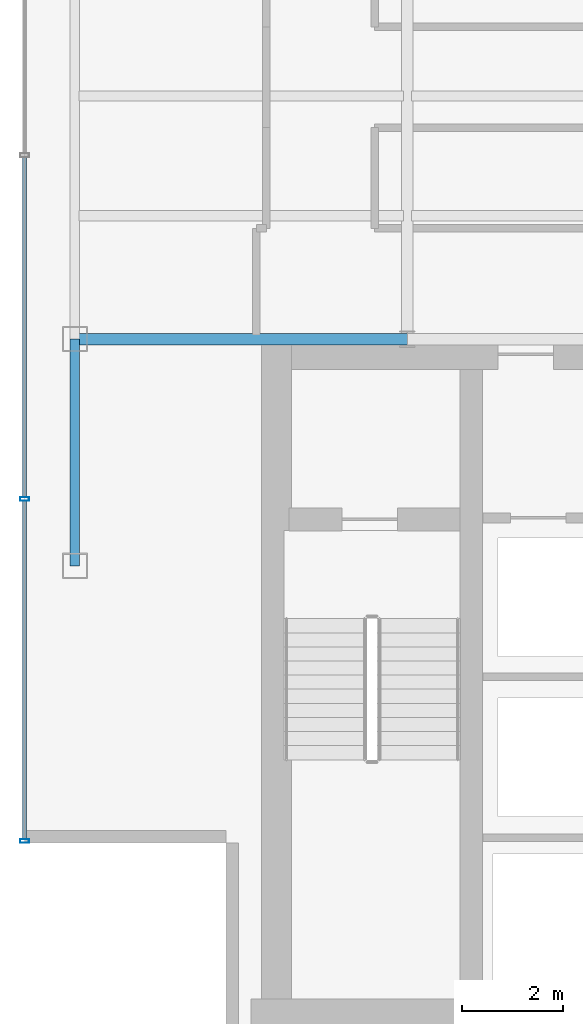
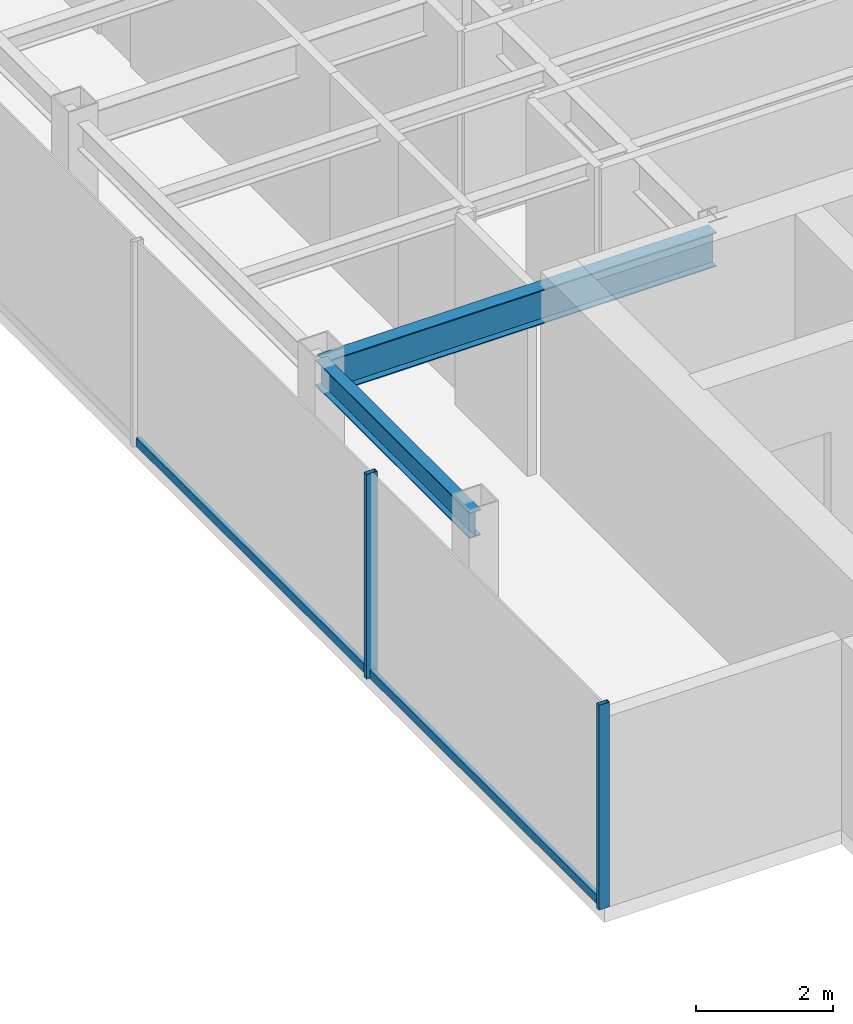
# One storey, part 3 of 22: 4 members, 2 beams, 1 element without a shape of its own.
"""IFC4 building model written with IfcOpenShell, lengths in metres."""

from ifc_helpers import new_model, si_unit, derived_unit, direction, frame, origin, origin_2d, place, context, subcontext, project, spatial, hollow_rectangle, i_section, extrude, source, transform, mapped, material, material_profile, profile_set, type_object, element, aggregate, save


model = new_model("IFC4")

# Units and contexts
model_context = context("Model", 3, precision=1e-05, world=origin(), true_north=direction((0.0, 1.0)))
body_context = subcontext(model_context, "Body", "Model", "MODEL_VIEW")
ifc_project = project(units=[si_unit("LENGTHUNIT", "METRE"), si_unit("AREAUNIT", "SQUARE_METRE"), si_unit("VOLUMEUNIT", "CUBIC_METRE"), si_unit("PLANEANGLEUNIT", "RADIAN"), si_unit("MASSUNIT", "GRAM", prefix="KILO"), derived_unit("THERMALTRANSMITTANCEUNIT", [(si_unit("POWERUNIT", "WATT"), 1), (si_unit("LENGTHUNIT", "METRE"), -2), (si_unit("THERMODYNAMICTEMPERATUREUNIT", "KELVIN"), -1)])], contexts=[model_context])

# Site, building, storey
site_placement = place(None, origin())
site = spatial("IfcSite", under=ifc_project, at=site_placement, CompositionType="ELEMENT")
building_placement = place(site_placement, origin())
building = spatial("IfcBuilding", under=site, at=building_placement, Name="Skarnbrae Concourse Arena and Tower", CompositionType="ELEMENT")
storey_placement = place(building_placement, frame((0.0, 0.0, 262.449951171875)))
storey = spatial("IfcBuildingStorey", under=building, at=storey_placement, Name="L68", CompositionType="ELEMENT", Elevation=262.449951171875)

# Beams
ifc_material_1 = material(Name="Steel CSA G40.21 350W", Category="steel")
ifc_material_profile_1 = material_profile(ifc_material_1, i_section(OverallWidth=0.22802734375, OverallDepth=0.60791015625, WebThickness=0.01123046875, FlangeThickness=0.017333984375, at=origin_2d()), Name="W610X113")
ifc_profile_set_1 = profile_set([ifc_material_profile_1], Name="Steel CSA G40.21 350W")
beam_type_1 = type_object("IfcBeamType", Name="BM-GIRD-W610X113", PredefinedType="BEAM", material=ifc_profile_set_1)
shared_shape_1 = source(origin(), body_context, "Body", "SweptSolid", [
    extrude(i_section(OverallWidth=0.22802734375, OverallDepth=0.60791015625, WebThickness=0.01123046875, FlangeThickness=0.017333984375, at=origin_2d()), origin(), (0.0, 0.0, 1.0), 6.60009765625),
])
beam_1_placement = place(storey_placement, frame((1.0, 14.0, 3.095947265625), z_axis=(1.0, 0.0, 0.0), x_axis=(0.0, 1.0, 0.0)))
element("IfcBeam", 1, at=beam_1_placement, inside=storey, type_object=beam_type_1, Name="L68 Primary E-W girder Y14.0-1", PredefinedType="BEAM", context=body_context, shape_type="MappedRepresentation", body=[
    mapped(shared_shape_1, transform((0.0, 0.0, 0.0))),
])
ifc_material_profile_2 = material_profile(ifc_material_1, i_section(OverallWidth=0.19091796875, OverallDepth=0.4599609375, WebThickness=0.010009765625, FlangeThickness=0.01611328125, at=origin_2d()), Name="W460X82")
ifc_profile_set_2 = profile_set([ifc_material_profile_2], Name="Steel CSA G40.21 350W")
beam_type_2 = type_object("IfcBeamType", Name="BM-SPAN-W460X82", PredefinedType="SPANDREL", material=ifc_profile_set_2)
shared_shape_2 = source(origin(), body_context, "Body", "SweptSolid", [
    extrude(i_section(OverallWidth=0.19091796875, OverallDepth=0.4599609375, WebThickness=0.010009765625, FlangeThickness=0.01611328125, at=origin_2d()), origin(), (0.0, 0.0, 1.0), 4.5),
])
beam_2_placement = place(storey_placement, frame((1.0, 9.5, 3.170166015625), z_axis=(0.0, 1.0, 0.0), x_axis=(-1.0, 0.0, 0.0)))
element("IfcBeam", 2, at=beam_2_placement, inside=storey, type_object=beam_type_2, Name="L68 Perimeter spandrel X1.0-1", PredefinedType="SPANDREL", context=body_context, shape_type="MappedRepresentation", body=[
    mapped(shared_shape_2, transform((0.0, 0.0, 0.0))),
])

# Curtain wall, members
ifc_material_2 = material(Name="Bronze anodised aluminium 6063-T6", Category="aluminium")
curtain_wall_type = type_object("IfcCurtainWallType", Name="CW-SYS-05-HIGHZONE", PredefinedType="USERDEFINED", material=ifc_material_2)
curtain_wall_placement = place(storey_placement, origin())
curtain_wall = element("IfcCurtainWall", 3, at=curtain_wall_placement, inside=storey, type_object=curtain_wall_type, Name="L68 Unitised curtain wall CW-L68-E18", ObjectType="UNITISED CURTAIN WALL", PredefinedType="USERDEFINED")
ifc_material_profile_3 = material_profile(ifc_material_2, hollow_rectangle(XDim=0.074951171875, YDim=0.14990234375, WallThickness=0.00390625, at=origin_2d()), Name="ALU-TRAN-75X150")
ifc_profile_set_3 = profile_set([ifc_material_profile_3], Name="Bronze anodised aluminium 6063-T6")
member_type_1 = type_object("IfcMemberType", Name="CWT-CW-05", PredefinedType="USERDEFINED", material=ifc_profile_set_3)
shared_shape_3 = source(origin(), body_context, "Body", "SweptSolid", [
    extrude(hollow_rectangle(XDim=0.074951171875, YDim=0.14990234375, WallThickness=0.00390625, at=origin_2d()), origin(), (0.0, 0.0, 1.0), 6.712646484375),
])
member_1_placement = place(storey_placement, frame((0.0, 10.78759765625, 0.074951171875), z_axis=(0.0, -1.0, 0.0), x_axis=(1.0, 0.0, 0.0)))
member_1 = element("IfcMember", 4, at=member_1_placement, type_object=member_type_1, Name="CW-L68-E18 Transom 4", ObjectType="TRANSOM", PredefinedType="USERDEFINED", context=body_context, shape_type="MappedRepresentation", body=[
    mapped(shared_shape_3, transform((0.0, 0.0, 0.0))),
])
shared_shape_4 = source(origin(), body_context, "Body", "SweptSolid", [
    extrude(hollow_rectangle(XDim=0.074951171875, YDim=0.14990234375, WallThickness=0.00390625, at=origin_2d()), origin(), (0.0, 0.0, 1.0), 6.75),
])
member_2_placement = place(storey_placement, frame((0.0, 17.612548828125, 0.074951171875), z_axis=(0.0, -1.0, 0.0), x_axis=(1.0, 0.0, 0.0)))
member_2 = element("IfcMember", 5, at=member_2_placement, type_object=member_type_1, Name="CW-L68-E18 Transom 3", ObjectType="TRANSOM", PredefinedType="USERDEFINED", context=body_context, shape_type="MappedRepresentation", body=[
    mapped(shared_shape_4, transform((0.0, 0.0, 0.0))),
])
ifc_material_profile_4 = material_profile(ifc_material_2, hollow_rectangle(XDim=0.074951171875, YDim=0.179931640625, WallThickness=0.00390625, at=origin_2d()), Name="ALU-MULL-75X180")
ifc_profile_set_4 = profile_set([ifc_material_profile_4], Name="Bronze anodised aluminium 6063-T6")
member_type_2 = type_object("IfcMemberType", Name="CWM-CW-05", PredefinedType="MULLION", material=ifc_profile_set_4)
shared_shape_5 = source(origin(), body_context, "Body", "SweptSolid", [
    extrude(hollow_rectangle(XDim=0.074951171875, YDim=0.179931640625, WallThickness=0.00390625, at=origin_2d()), origin(), (0.0, 0.0, 1.0), 3.650146484375),
])
member_3_placement = place(storey_placement, frame((0.0, 10.824951171875, 0.0), z_axis=(0.0, 0.0, 1.0), x_axis=(0.0, -1.0, 0.0)))
member_3 = element("IfcMember", 6, at=member_3_placement, type_object=member_type_2, Name="CW-L68-E18 Mullion 4", PredefinedType="MULLION", context=body_context, shape_type="MappedRepresentation", body=[
    mapped(shared_shape_5, transform((0.0, 0.0, 0.0))),
])
member_4_placement = place(storey_placement, frame((0.0, 4.03759765625, 0.0), z_axis=(0.0, 0.0, 1.0), x_axis=(0.0, -1.0, 0.0)))
member_4 = element("IfcMember", 7, at=member_4_placement, type_object=member_type_2, Name="CW-L68-E18 Mullion 5", PredefinedType="MULLION", context=body_context, shape_type="MappedRepresentation", body=[
    mapped(shared_shape_5, transform((0.0, 0.0, 0.0))),
])
aggregate(curtain_wall, [member_3, member_4, member_2, member_1])

save(model, "model.ifc")
